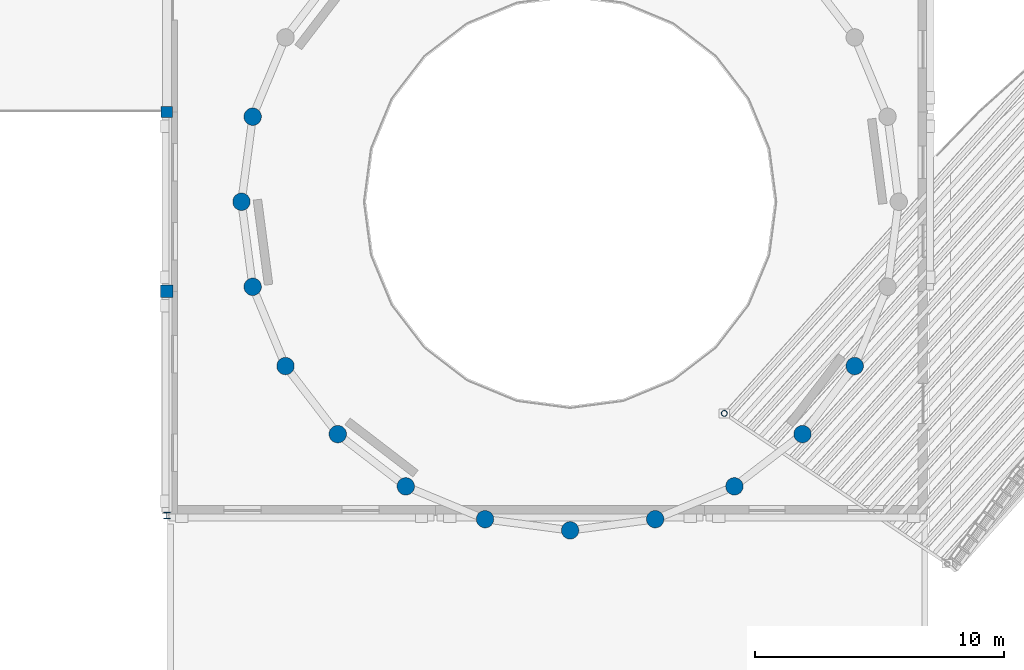
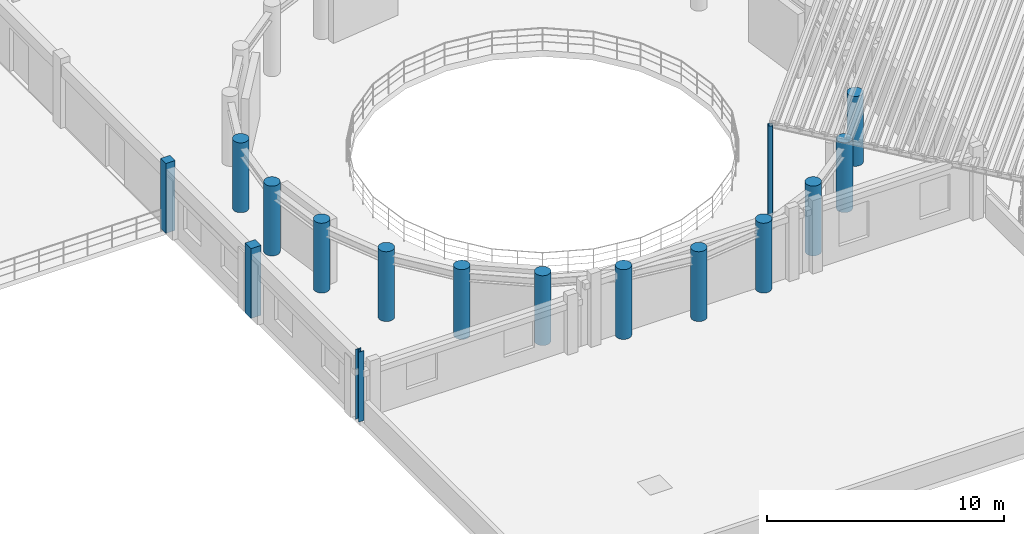
# One storey, part 6 of 74: 16 columns.
"""IFC4 building model written with IfcOpenShell, lengths in metres."""

from ifc_helpers import new_model, si_unit, direction, frame, origin, origin_2d, place, context, subcontext, project, spatial, rectangle, circle, hollow_circle, i_section, extrude, material, material_profile, profile_set, type_object, element, save


model = new_model("IFC4")

# Units and contexts
model_context = context("Model", 3, precision=1e-05, world=origin(), true_north=direction((0.0, 1.0)))
body_context = subcontext(model_context, "Body", "Model", "MODEL_VIEW")
ifc_project = project(units=[si_unit("LENGTHUNIT", "METRE"), si_unit("AREAUNIT", "SQUARE_METRE"), si_unit("VOLUMEUNIT", "CUBIC_METRE"), si_unit("PLANEANGLEUNIT", "RADIAN"), si_unit("MASSUNIT", "GRAM", prefix="KILO")], contexts=[model_context])

# Site, building, storey
site_placement = place(None, origin())
site = spatial("IfcSite", under=ifc_project, at=site_placement, CompositionType="ELEMENT")
building_placement = place(site_placement, origin())
building = spatial("IfcBuilding", under=site, at=building_placement, Name="Clarverna Civic Hall", CompositionType="ELEMENT")
storey_placement = place(building_placement, frame((0.0, 0.0, 13.199951171875)))
storey = spatial("IfcBuildingStorey", under=building, at=storey_placement, Name="L03", CompositionType="ELEMENT", Elevation=13.199951171875)

# Columns
ifc_material_1 = material(Name="Concrete C35/45", Category="concrete")
ifc_material_profile_1 = material_profile(ifc_material_1, circle(Radius=0.35009765625, at=origin_2d()), Name="RC D700")
ifc_profile_set_1 = profile_set([ifc_material_profile_1], Name="Concrete C35/45")
column_type_1 = type_object("IfcColumnType", Name="C-DR3", PredefinedType="COLUMN", material=ifc_profile_set_1)
for number, where, z_axis, x_axis, name in (
    (1, (70.0498046875, 62.41650390625, 0.0), (0.0, 0.0, 1.0), (1.0, 0.0, 0.0), "C-DR3-012"),
    (2, (69.60009765625, 59.0, 0.0), (0.0, 0.0, 1.0), (1.0, 0.0, 0.0), "C-DR3-013"),
    (3, (70.0498046875, 55.58349609375, 0.0), (0.0, 0.0, 1.0), (1.0, 0.0, 0.0), "C-DR3-014"),
    (4, (71.368408203125, 52.39990234375, 0.0), (0.0, 0.0, 1.0), (1.0, 0.0, 0.0), "C-DR3-015"),
    (5, (73.46630859375, 49.666259765625, 0.0), (0.0, 0.0, 1.0), (1.0, 0.0, 0.0), "C-DR3-016"),
    (6, (76.199951171875, 47.568603515625, 0.0), (0.0, 0.0, 1.0), (1.0, 0.0, 0.0), "C-DR3-017"),
    (7, (79.383544921875, 46.249755859375, 0.0), (0.0, 0.0, 1.0), (1.0, 0.0, 0.0), "C-DR3-018"),
    (8, (82.800048828125, 45.800048828125, 0.0), (0.0, 0.0, 1.0), (1.0, 0.0, 0.0), "C-DR3-019"),
    (9, (86.21630859375, 46.249755859375, 0.0), (0.0, 0.0, 1.0), (1.0, 0.0, 0.0), "C-DR3-020"),
    (10, (89.39990234375, 47.568603515625, 0.0), (0.0, 0.0, 1.0), (1.0, 0.0, 0.0), "C-DR3-021"),
    (11, (92.1337890625, 49.666259765625, 0.0), (0.0, 0.0, 1.0), (1.0, 0.0, 0.0), "C-DR3-022"),
    (12, (94.2314453125, 52.39990234375, 0.0), (0.0, 0.0, 1.0), (1.0, 0.0, 0.0), "C-DR3-023"),
):
    element("IfcColumn", number, at=place(storey_placement, frame(where, z_axis=z_axis, x_axis=x_axis)), inside=storey, type_object=column_type_1, Name=name, PredefinedType="COLUMN", context=body_context, shape_type="SweptSolid", body=[
        extrude(circle(Radius=0.35009765625, at=origin_2d()), origin(), (0.0, 0.0, 1.0), 3.60009765625),
    ])
ifc_material_profile_2 = material_profile(ifc_material_1, rectangle(XDim=0.5, YDim=0.5, at=origin_2d()), Name="RC 500x500")
ifc_profile_set_2 = profile_set([ifc_material_profile_2], Name="Concrete C35/45")
column_type_2 = type_object("IfcColumnType", Name="C-RC12", PredefinedType="COLUMN", material=ifc_profile_set_2)
column_1_placement = place(storey_placement, frame((66.60009765625, 55.39990234375, 0.0), z_axis=(0.0, 0.0, 1.0), x_axis=(1.0, 0.0, 0.0)))
element("IfcColumn", 13, at=column_1_placement, inside=storey, type_object=column_type_2, Name="C-RC12-014", PredefinedType="COLUMN", context=body_context, shape_type="SweptSolid", body=[
    extrude(rectangle(XDim=0.5, YDim=0.5, at=origin_2d()), origin(), (0.0, 0.0, 1.0), 3.60009765625),
])
ifc_material_profile_3 = material_profile(ifc_material_1, rectangle(XDim=0.449951171875, YDim=0.449951171875, at=origin_2d()), Name="RC 450x450")
ifc_profile_set_3 = profile_set([ifc_material_profile_3], Name="Concrete C35/45")
column_type_3 = type_object("IfcColumnType", Name="C-RC13", PredefinedType="COLUMN", material=ifc_profile_set_3)
column_2_placement = place(storey_placement, frame((66.60009765625, 62.60009765625, 0.0), z_axis=(0.0, 0.0, 1.0), x_axis=(1.0, 0.0, 0.0)))
element("IfcColumn", 14, at=column_2_placement, inside=storey, type_object=column_type_3, Name="C-RC13-014", PredefinedType="COLUMN", context=body_context, shape_type="SweptSolid", body=[
    extrude(rectangle(XDim=0.449951171875, YDim=0.449951171875, at=origin_2d()), origin(), (0.0, 0.0, 1.0), 3.60009765625),
])
ifc_material_2 = material(Name="Steel S355", Category="steel")
ifc_material_profile_4 = material_profile(ifc_material_2, hollow_circle(Radius=0.122314453125, WallThickness=0.012451171875, at=origin_2d()), Name="CHS 244.5x12.5")
ifc_profile_set_4 = profile_set([ifc_material_profile_4], Name="Steel S355")
column_type_4 = type_object("IfcColumnType", Name="C-ST15", PredefinedType="COLUMN", material=ifc_profile_set_4)
column_3_placement = place(storey_placement, frame((88.9931640625, 50.498779296875, 0.0), z_axis=(0.0, 0.0, 1.0), x_axis=(1.0, 0.0, 0.0)))
element("IfcColumn", 15, at=column_3_placement, inside=storey, type_object=column_type_4, Name="C-ST15-006", PredefinedType="COLUMN", context=body_context, shape_type="SweptSolid", body=[
    extrude(hollow_circle(Radius=0.122314453125, WallThickness=0.012451171875, at=origin_2d()), origin(), (0.0, 0.0, 1.0), 4.900146484375),
])
ifc_material_profile_5 = material_profile(ifc_material_2, i_section(OverallWidth=0.260009765625, OverallDepth=0.260009765625, WebThickness=0.010009765625, FlangeThickness=0.017578125, FilletRadius=0.02392578125, at=origin_2d()), Name="HEB 260")
ifc_profile_set_5 = profile_set([ifc_material_profile_5], Name="Steel S355")
column_type_5 = type_object("IfcColumnType", Name="C-ST9", PredefinedType="COLUMN", material=ifc_profile_set_5)
column_4_placement = place(storey_placement, frame((66.60009765625, 46.39990234375, 0.0), z_axis=(0.0, 0.0, 1.0), x_axis=(1.0, 0.0, 0.0)))
element("IfcColumn", 16, at=column_4_placement, inside=storey, type_object=column_type_5, Name="C-ST9-004", PredefinedType="COLUMN", context=body_context, shape_type="SweptSolid", body=[
    extrude(i_section(OverallWidth=0.260009765625, OverallDepth=0.260009765625, WebThickness=0.010009765625, FlangeThickness=0.017578125, FilletRadius=0.02392578125, at=origin_2d()), origin(), (0.0, 0.0, 1.0), 3.60009765625),
])

save(model, "model.ifc")
